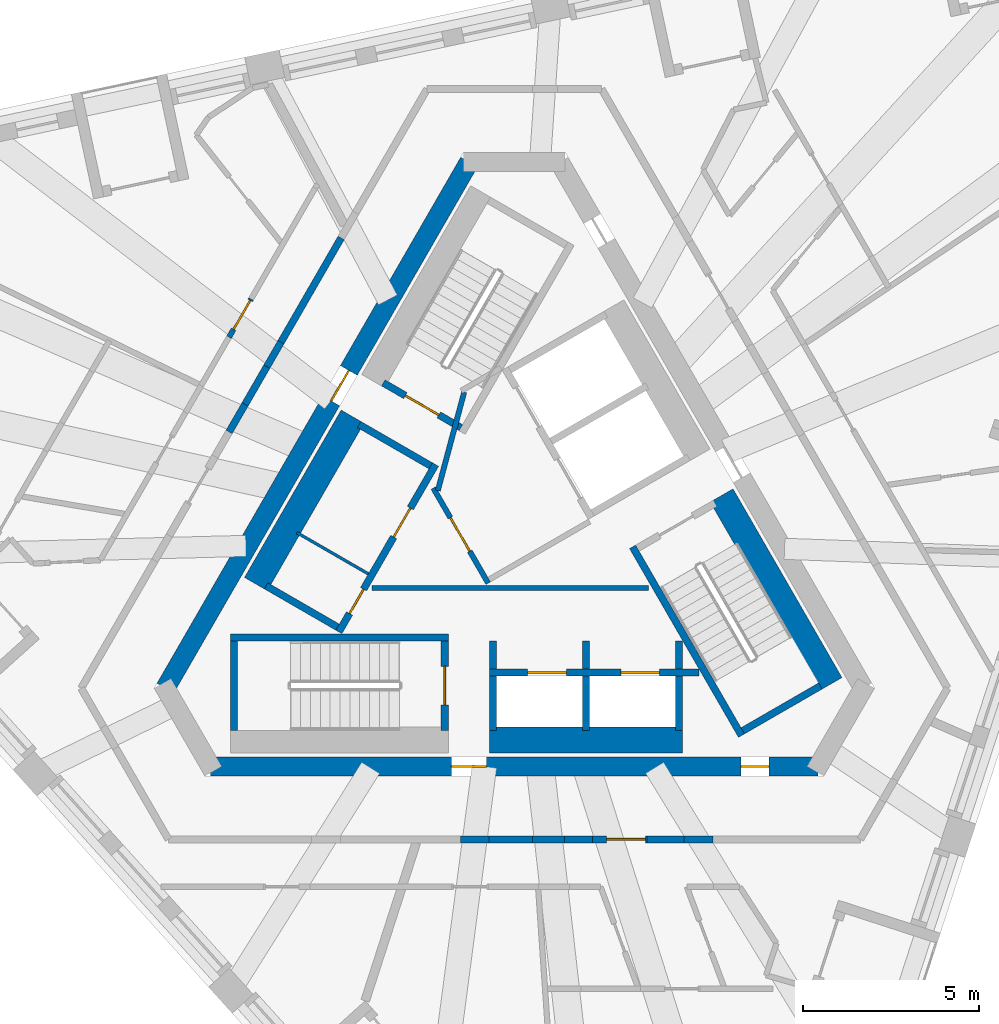
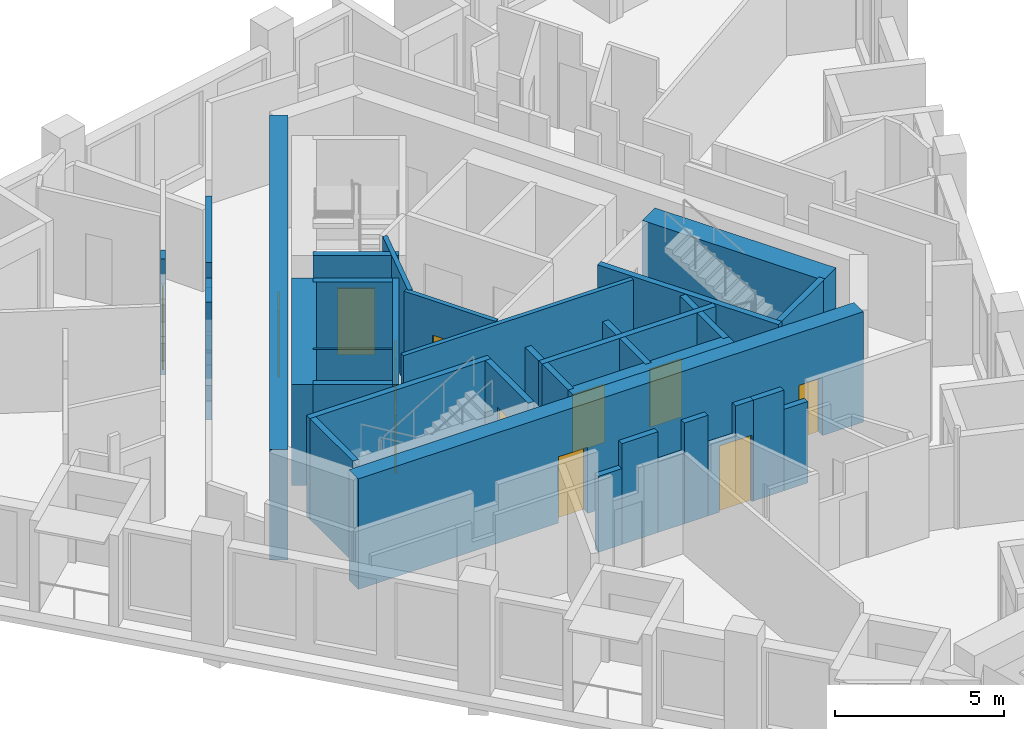
# One storey, part 4 of 12: 37 walls, 12 doors, 12 openings.
"""IFC4 building model written with IfcOpenShell, lengths in metres."""

from ifc_helpers import new_model, si_unit, direction, frame, frame_2d, origin, place, context, subcontext, project, spatial, polyline, rectangle, outline, extrude, material, layer, layer_set, type_object, element, fill, save


model = new_model("IFC4")

# Units and contexts
model_context = context("Model", 3, precision=1e-05, world=origin(), true_north=direction((0.0, 1.0)))
body_context = subcontext(model_context, "Body", "Model", "MODEL_VIEW")
ifc_project = project(units=[si_unit("LENGTHUNIT", "METRE"), si_unit("AREAUNIT", "SQUARE_METRE"), si_unit("VOLUMEUNIT", "CUBIC_METRE"), si_unit("PLANEANGLEUNIT", "RADIAN"), si_unit("MASSUNIT", "GRAM", prefix="KILO")], contexts=[model_context])

# Site, building, storey
site_placement = place(None, origin())
site = spatial("IfcSite", under=ifc_project, at=site_placement, CompositionType="ELEMENT")
building_placement = place(site_placement, origin())
building = spatial("IfcBuilding", under=site, at=building_placement, Name="Tramontana Tower", CompositionType="ELEMENT")
storey_placement = place(building_placement, frame((0.0, 0.0, 336.39990234375)))
storey = spatial("IfcBuildingStorey", under=building, at=storey_placement, Name="L77", CompositionType="ELEMENT", Elevation=336.39990234375)

# Wall, opening, door
ifc_material_1 = material(Name="Concrete 70 MPa", Category="concrete")
ifc_layer_1 = layer(ifc_material_1, 0.550048828125)
ifc_layer_set_1 = layer_set([ifc_layer_1], Name="Core wall 550 70 MPa")
wall_type_1 = type_object("IfcWallType", Name="Core wall 550 70 MPa", PredefinedType="SHEAR", material=ifc_layer_set_1)
wall_1_placement = place(storey_placement, frame((-1.28466796875, 10.72509765625, 0.0), z_axis=(0.0, 0.0, 1.0), x_axis=(-0.499994590896, -0.86602852671, 0.0)))
wall_1 = element("IfcWall", 1, at=wall_1_placement, inside=storey, type_object=wall_type_1, Name="Core wall C1 L77", PredefinedType="SHEAR", context=body_context, shape_type="SweptSolid", body=[
    extrude(rectangle(XDim=17.291748046875, YDim=0.550048828125, at=frame_2d((8.64599609375, 0.0))), origin(), (0.0, 0.0, 1.0), 4.0),
])
opening_1_placement = place(wall_1_placement, frame((6.850830078125, 0.0, 0.0)))
opening_1 = element("IfcOpeningElement", 2, at=opening_1_placement, cuts=wall_1, Name="Opening RG1", PredefinedType="OPENING", context=body_context, shape_type="SweptSolid", body=[
    extrude(rectangle(XDim=1.0, YDim=2.39990234375, at=frame_2d((0.5, 1.199951171875))), frame((0.0, 0.284912109375, 0.0), z_axis=(0.0, -1.0, 0.0), x_axis=(1.0, 0.0, 0.0)), (0.0, 0.0, 1.0), 0.570068359375),
])
ifc_material_2 = material(Name="Painted steel", Category="steel")
door_type_1 = type_object("IfcDoorType", Name="RING DOOR 1000", OperationType="SINGLE_SWING_LEFT", PredefinedType="DOOR", material=ifc_material_2)
door_1_placement = place(opening_1_placement, origin())
door_1 = element("IfcDoor", 3, at=door_1_placement, inside=storey, type_object=door_type_1, Name="Door RG1", OperationType="SINGLE_SWING_RIGHT", OverallHeight=2.39990234375, OverallWidth=1.0, PredefinedType="DOOR", context=body_context, shape_type="SweptSolid", body=[
    extrude(rectangle(XDim=1.0, YDim=2.39990234375, at=frame_2d((0.5, 1.199951171875))), frame((0.0, 0.02490234375, 0.0), z_axis=(0.0, -1.0, 0.0), x_axis=(1.0, 0.0, 0.0)), (0.0, 0.0, 1.0), 0.050048828125),
])
fill(opening_1, door_1)

# Wall, openings, doors
wall_2_placement = place(storey_placement, frame((-8.645751953125, -6.47509765625, 0.0), z_axis=(0.0, 0.0, 1.0), x_axis=(1.0, 0.0, 0.0)))
wall_2 = element("IfcWall", 4, at=wall_2_placement, inside=storey, type_object=wall_type_1, Name="Core wall C3 L77", PredefinedType="SHEAR", context=body_context, shape_type="SweptSolid", body=[
    extrude(rectangle(XDim=17.29150390625, YDim=0.550048828125, at=frame_2d((8.645751953125, 0.0))), origin(), (0.0, 0.0, 1.0), 4.0),
])
opening_2_placement = place(wall_2_placement, frame((6.850830078125, 0.0, 0.0)))
opening_2 = element("IfcOpeningElement", 5, at=opening_2_placement, cuts=wall_2, Name="Opening RG2", PredefinedType="OPENING", context=body_context, shape_type="SweptSolid", body=[
    extrude(rectangle(XDim=1.0, YDim=2.39990234375, at=frame_2d((0.5, 1.199951171875))), frame((0.0, 0.284912109375, 0.0), z_axis=(0.0, -1.0, 0.0), x_axis=(1.0, 0.0, 0.0)), (0.0, 0.0, 1.0), 0.570068359375),
])
opening_3_placement = place(wall_2_placement, frame((15.088623046875, 0.0, 0.0)))
opening_3 = element("IfcOpeningElement", 6, at=opening_3_placement, cuts=wall_2, Name="Opening PD2", PredefinedType="OPENING", context=body_context, shape_type="SweptSolid", body=[
    extrude(rectangle(XDim=0.800048828125, YDim=2.10009765625, at=frame_2d((0.39990234375, 1.050048828125))), frame((0.0, 0.284912109375, 0.0), z_axis=(0.0, -1.0, 0.0), x_axis=(1.0, 0.0, 0.0)), (0.0, 0.0, 1.0), 0.570068359375),
])
ifc_material_3 = material(Name="Painted steel", Category="steel")
door_type_2 = type_object("IfcDoorType", Name="CUPBOARD DOOR 800", OperationType="SINGLE_SWING_LEFT", PredefinedType="DOOR", material=ifc_material_3)
door_2_placement = place(opening_3_placement, origin())
door_2 = element("IfcDoor", 7, at=door_2_placement, inside=storey, type_object=door_type_2, Name="Door PD2", OperationType="SINGLE_SWING_LEFT", OverallHeight=2.10009765625, OverallWidth=0.800048828125, PredefinedType="DOOR", context=body_context, shape_type="SweptSolid", body=[
    extrude(rectangle(XDim=0.800048828125, YDim=2.10009765625, at=frame_2d((0.39990234375, 1.050048828125))), frame((0.0, 0.02490234375, 0.0), z_axis=(0.0, -1.0, 0.0), x_axis=(1.0, 0.0, 0.0)), (0.0, 0.0, 1.0), 0.050048828125),
])
fill(opening_3, door_2)
door_3_placement = place(opening_2_placement, origin())
door_3 = element("IfcDoor", 8, at=door_3_placement, inside=storey, type_object=door_type_1, Name="Door RG2", OperationType="SINGLE_SWING_LEFT", OverallHeight=2.39990234375, OverallWidth=1.0, PredefinedType="DOOR", context=body_context, shape_type="SweptSolid", body=[
    extrude(rectangle(XDim=1.0, YDim=2.39990234375, at=frame_2d((0.5, 1.199951171875))), frame((0.0, 0.02490234375, 0.0), z_axis=(0.0, -1.0, 0.0), x_axis=(1.0, 0.0, 0.0)), (0.0, 0.0, 1.0), 0.050048828125),
])
fill(opening_2, door_3)

# Walls
ifc_material_4 = material(Name="Blockwork", Category="masonry")
ifc_layer_2 = layer(ifc_material_4, 0.199951171875)
ifc_layer_set_2 = layer_set([ifc_layer_2], Name="ENTRY WALL 200")
wall_type_2 = type_object("IfcWallType", Name="ENTRY WALL 200", PredefinedType="SOLIDWALL", material=ifc_layer_set_2)
wall_3_placement = place(storey_placement, frame((5.6494140625, -8.550048828125, 0.0), z_axis=(0.0, 0.0, 1.0), x_axis=(-1.0, 0.0, 0.0)))
element("IfcWall", 9, at=wall_3_placement, inside=storey, type_object=wall_type_2, Name="Wall v81-ew1-1", PredefinedType="SOLIDWALL", context=body_context, shape_type="SweptSolid", body=[
    extrude(rectangle(XDim=0.821044921875, YDim=0.199951171875, at=frame_2d((0.41064453125, 0.0))), origin(), (0.0, 0.0, 1.0), 2.9501953125),
])
wall_4_placement = place(storey_placement, frame((4.828369140625, -8.550048828125, 0.0), z_axis=(0.0, 0.0, 1.0), x_axis=(-1.0, 0.0, 0.0)))
element("IfcWall", 10, at=wall_4_placement, inside=storey, type_object=wall_type_2, Name="Wall v81-ew1-2", PredefinedType="SOLIDWALL", context=body_context, shape_type="SweptSolid", body=[
    extrude(rectangle(XDim=1.050048828125, YDim=0.199951171875, at=frame_2d((0.52490234375, 0.0))), origin(), (0.0, 0.0, 1.0), 3.650146484375),
])

# Wall, opening, door
wall_5_placement = place(storey_placement, frame((3.7783203125, -8.550048828125, 0.0), z_axis=(0.0, 0.0, 1.0), x_axis=(-1.0, 0.0, 0.0)))
wall_5 = element("IfcWall", 11, at=wall_5_placement, inside=storey, type_object=wall_type_2, Name="Wall v81-ew1-3", PredefinedType="SOLIDWALL", context=body_context, shape_type="SweptSolid", body=[
    extrude(outline(polyline([(0.0, 0.0), (1.54931640625, 0.0), (1.549072265625, 2.550048828125), (0.605224609375, 2.550048828125), (0.605224609375, 3.650146484375), (0.0, 3.650146484375), (0.0, 0.0)])), frame((0.0, 0.10009765625, 0.0), z_axis=(0.0, -1.0, 0.0), x_axis=(1.0, 0.0, 0.0)), (0.0, 0.0, 1.0), 0.199951171875),
])
opening_4_placement = place(wall_5_placement, frame((0.050048828125, 0.0, 0.0)))
opening_4 = element("IfcOpeningElement", 12, at=opening_4_placement, cuts=wall_5, Name="Opening B8B-17", PredefinedType="OPENING", context=body_context, shape_type="SweptSolid", body=[
    extrude(rectangle(XDim=1.10009765625, YDim=2.39990234375, at=frame_2d((0.550048828125, 1.199951171875))), frame((0.0, 0.10986328125, 0.0), z_axis=(0.0, -1.0, 0.0), x_axis=(1.0, 0.0, 0.0)), (0.0, 0.0, 1.0), 0.219970703125),
])
ifc_material_5 = material(Name="Painted timber", Category="wood")
door_type_3 = type_object("IfcDoorType", Name="DOOR ENTRY 1100", OperationType="SINGLE_SWING_LEFT", PredefinedType="DOOR", material=ifc_material_5)
door_4_placement = place(opening_4_placement, origin())
door_4 = element("IfcDoor", 13, at=door_4_placement, inside=storey, type_object=door_type_3, Name="Door B8B-17", OperationType="SINGLE_SWING_LEFT", OverallHeight=2.39990234375, OverallWidth=1.10009765625, PredefinedType="DOOR", context=body_context, shape_type="SweptSolid", body=[
    extrude(rectangle(XDim=1.10009765625, YDim=2.39990234375, at=frame_2d((0.550048828125, 1.199951171875))), frame((0.0, 0.02490234375, 0.0), z_axis=(0.0, -1.0, 0.0), x_axis=(1.0, 0.0, 0.0)), (0.0, 0.0, 1.0), 0.050048828125),
])
fill(opening_4, door_4)

# Walls
wall_6_placement = place(storey_placement, frame((2.22900390625, -8.550048828125, 0.0), z_axis=(0.0, 0.0, 1.0), x_axis=(-1.0, 0.0, 0.0)))
element("IfcWall", 14, at=wall_6_placement, inside=storey, type_object=wall_type_2, Name="Wall v81-ew1-4", PredefinedType="SOLIDWALL", context=body_context, shape_type="SweptSolid", body=[
    extrude(rectangle(XDim=0.806640625, YDim=0.199951171875, at=frame_2d((0.4033203125, 0.0))), origin(), (0.0, 0.0, 1.0), 3.650146484375),
])
wall_7_placement = place(storey_placement, frame((1.42236328125, -8.550048828125, 0.0), z_axis=(0.0, 0.0, 1.0), x_axis=(-1.0, 0.0, 0.0)))
element("IfcWall", 15, at=wall_7_placement, inside=storey, type_object=wall_type_2, Name="Wall v81-ew1-5", PredefinedType="SOLIDWALL", context=body_context, shape_type="SweptSolid", body=[
    extrude(rectangle(XDim=0.90576171875, YDim=0.199951171875, at=frame_2d((0.452880859375, 0.0))), origin(), (0.0, 0.0, 1.0), 2.550048828125),
])
wall_8_placement = place(storey_placement, frame((0.5166015625, -8.550048828125, 0.0), z_axis=(0.0, 0.0, 1.0), x_axis=(-1.0, 0.0, 0.0)))
element("IfcWall", 16, at=wall_8_placement, inside=storey, type_object=wall_type_2, Name="Wall v81-ew1-6", PredefinedType="SOLIDWALL", context=body_context, shape_type="SweptSolid", body=[
    extrude(rectangle(XDim=1.23828125, YDim=0.199951171875, at=frame_2d((0.619140625, 0.0))), origin(), (0.0, 0.0, 1.0), 3.650146484375),
])
wall_9_placement = place(storey_placement, frame((-0.7216796875, -8.550048828125, 0.0), z_axis=(0.0, 0.0, 1.0), x_axis=(-1.0, 0.0, 0.0)))
element("IfcWall", 17, at=wall_9_placement, inside=storey, type_object=wall_type_2, Name="Wall v81-ew1-7", PredefinedType="SOLIDWALL", context=body_context, shape_type="SweptSolid", body=[
    extrude(rectangle(XDim=0.806884765625, YDim=0.199951171875, at=frame_2d((0.4033203125, 0.0))), origin(), (0.0, 0.0, 1.0), 2.75),
])
wall_10_placement = place(storey_placement, frame((-8.11572265625, 3.043212890625, 0.0), z_axis=(0.0, 0.0, 1.0), x_axis=(0.499994660107, 0.866028486751, 0.0)))
element("IfcWall", 18, at=wall_10_placement, inside=storey, type_object=wall_type_2, Name="Wall v81-ew3-5", PredefinedType="SOLIDWALL", context=body_context, shape_type="SweptSolid", body=[
    extrude(rectangle(XDim=0.90576171875, YDim=0.199951171875, at=frame_2d((0.452880859375, 0.0))), origin(), (0.0, 0.0, 1.0), 2.550048828125),
])
wall_11_placement = place(storey_placement, frame((-7.662841796875, 3.82763671875, 0.0), z_axis=(0.0, 0.0, 1.0), x_axis=(0.499955681623, 0.866050989499, 0.0)))
element("IfcWall", 19, at=wall_11_placement, inside=storey, type_object=wall_type_2, Name="Wall v81-ew3-6", PredefinedType="SOLIDWALL", context=body_context, shape_type="SweptSolid", body=[
    extrude(rectangle(XDim=1.23828125, YDim=0.199951171875, at=frame_2d((0.619140625, 0.0))), origin(), (0.0, 0.0, 1.0), 3.650146484375),
])
wall_12_placement = place(storey_placement, frame((-7.043701171875, 4.900146484375, 0.0), z_axis=(0.0, 0.0, 1.0), x_axis=(0.500141487433, 0.865943700565, 0.0)))
element("IfcWall", 20, at=wall_12_placement, inside=storey, type_object=wall_type_2, Name="Wall v81-ew3-7", PredefinedType="SOLIDWALL", context=body_context, shape_type="SweptSolid", body=[
    extrude(rectangle(XDim=0.806884765625, YDim=0.199951171875, at=frame_2d((0.4033203125, 0.0))), origin(), (0.0, 0.0, 1.0), 2.75),
])
wall_13_placement = place(storey_placement, frame((-6.64013671875, 5.598876953125, 0.0), z_axis=(0.0, 0.0, 1.0), x_axis=(0.499989998285, 0.8660311782, 0.0)))
element("IfcWall", 21, at=wall_13_placement, inside=storey, type_object=wall_type_2, Name="Wall v81-ew3-8", PredefinedType="SOLIDWALL", context=body_context, shape_type="SweptSolid", body=[
    extrude(rectangle(XDim=3.4228515625, YDim=0.199951171875, at=frame_2d((1.71142578125, 0.0))), origin(), (0.0, 0.0, 1.0), 3.650146484375),
])

# Wall, opening, door
ifc_material_6 = material(Name="Gypsum board partition")
ifc_layer_3 = layer(ifc_material_6, 0.14990234375)
ifc_layer_set_3 = layer_set([ifc_layer_3], Name="PARTITION 150")
wall_type_3 = type_object("IfcWallType", Name="PARTITION 150", PredefinedType="PARTITIONING", material=ifc_layer_set_3)
wall_14_placement = place(storey_placement, frame((-0.744140625, -1.260986328125, 0.0), z_axis=(0.0, 0.0, 1.0), x_axis=(-0.500004234368, 0.866022959057, 0.0)))
wall_14 = element("IfcWall", 22, at=wall_14_placement, inside=storey, type_object=wall_type_3, Name="Wall ff-front", PredefinedType="PARTITIONING", context=body_context, shape_type="SweptSolid", body=[
    extrude(rectangle(XDim=3.125, YDim=0.14990234375, at=frame_2d((1.5625, 0.0))), origin(), (0.0, 0.0, 1.0), 3.650146484375),
])
opening_5_placement = place(wall_14_placement, frame((1.050048828125, 0.0, 0.0)))
opening_5 = element("IfcOpeningElement", 23, at=opening_5_placement, cuts=wall_14, Name="Opening FD1", PredefinedType="OPENING", context=body_context, shape_type="SweptSolid", body=[
    extrude(rectangle(XDim=1.10009765625, YDim=2.39990234375, at=frame_2d((0.550048828125, 1.199951171875))), frame((0.0, 0.0849609375, 0.0), z_axis=(0.0, -1.0, 0.0), x_axis=(1.0, 0.0, 0.0)), (0.0, 0.0, 1.0), 0.169921875),
])
door_5_placement = place(opening_5_placement, origin())
door_5 = element("IfcDoor", 24, at=door_5_placement, inside=storey, type_object=door_type_3, Name="Door FD1", OperationType="SINGLE_SWING_LEFT", OverallHeight=2.39990234375, OverallWidth=1.10009765625, PredefinedType="DOOR", context=body_context, shape_type="SweptSolid", body=[
    extrude(rectangle(XDim=1.10009765625, YDim=2.39990234375, at=frame_2d((0.550048828125, 1.199951171875))), frame((0.0, 0.02490234375, 0.0), z_axis=(0.0, -1.0, 0.0), x_axis=(1.0, 0.0, 0.0)), (0.0, 0.0, 1.0), 0.050048828125),
])
fill(opening_5, door_5)

# Walls
wall_15_placement = place(storey_placement, frame((-2.177978515625, 1.372314453125, 0.0), z_axis=(0.0, 0.0, 1.0), x_axis=(0.258808958833, 0.96592852884, 0.0)))
element("IfcWall", 25, at=wall_15_placement, inside=storey, type_object=wall_type_3, Name="Wall ff-diag", PredefinedType="PARTITIONING", context=body_context, shape_type="SweptSolid", body=[
    extrude(rectangle(XDim=2.902587890625, YDim=0.14990234375, at=frame_2d((1.451171875, 0.0))), origin(), (0.0, 0.0, 1.0), 3.650146484375),
])
wall_16_placement = place(storey_placement, frame((-4.053466796875, -1.39990234375, 0.0), z_axis=(0.0, 0.0, 1.0), x_axis=(1.0, 0.0, 0.0)))
element("IfcWall", 26, at=wall_16_placement, inside=storey, type_object=wall_type_3, Name="Wall hub-cut1", PredefinedType="PARTITIONING", context=body_context, shape_type="SweptSolid", body=[
    extrude(rectangle(XDim=7.8759765625, YDim=0.14990234375, at=frame_2d((3.93798828125, 0.0))), origin(), (0.0, 0.0, 1.0), 3.650146484375),
])

# Wall, opening, door
wall_17_placement = place(storey_placement, frame((-8.11767578125, 5.73974609375, 0.0), z_axis=(0.0, 0.0, 1.0), x_axis=(0.499969537666, 0.866042990507, 0.0)))
wall_17 = element("IfcWall", 27, at=wall_17_placement, inside=storey, type_object=wall_type_3, Name="Wall v81-pw07-6", PredefinedType="PARTITIONING", context=body_context, shape_type="SweptSolid", body=[
    extrude(outline(polyline([(0.0, 0.0), (1.25439453125, 0.0), (1.25439453125, 3.650146484375), (0.78173828125, 3.650146484375), (0.78173828125, 2.75), (0.0, 2.75), (0.0, 0.0)])), frame((0.0, 0.074951171875, 0.0), z_axis=(0.0, -1.0, 0.0), x_axis=(1.0, 0.0, 0.0)), (0.0, 0.0, 1.0), 0.14990234375),
])
opening_6_placement = place(wall_17_placement, frame((0.25439453125, 0.0, 0.0)))
opening_6 = element("IfcOpeningElement", 28, at=opening_6_placement, cuts=wall_17, Name="Opening B8B-03", PredefinedType="OPENING", context=body_context, shape_type="SweptSolid", body=[
    extrude(rectangle(XDim=0.949951171875, YDim=2.39990234375, at=frame_2d((0.47509765625, 1.199951171875))), frame((0.0, 0.0849609375, 0.0), z_axis=(0.0, -1.0, 0.0), x_axis=(1.0, 0.0, 0.0)), (0.0, 0.0, 1.0), 0.169921875),
])
ifc_material_7 = material(Name="Painted timber", Category="wood")
door_type_4 = type_object("IfcDoorType", Name="DOOR ROOM 950", OperationType="SINGLE_SWING_LEFT", PredefinedType="DOOR", material=ifc_material_7)
door_6_placement = place(opening_6_placement, origin())
door_6 = element("IfcDoor", 29, at=door_6_placement, inside=storey, type_object=door_type_4, Name="Door B8B-03", OperationType="SINGLE_SWING_LEFT", OverallHeight=2.39990234375, OverallWidth=0.949951171875, PredefinedType="DOOR", context=body_context, shape_type="SweptSolid", body=[
    extrude(rectangle(XDim=0.949951171875, YDim=2.39990234375, at=frame_2d((0.47509765625, 1.199951171875))), frame((0.0, 0.02490234375, 0.0), z_axis=(0.0, -1.0, 0.0), x_axis=(1.0, 0.0, 0.0)), (0.0, 0.0, 1.0), 0.050048828125),
])
fill(opening_6, door_6)

# Walls
ifc_material_8 = material(Name="Gypsum board partition")
ifc_layer_4 = layer(ifc_material_8, 0.080078125)
ifc_layer_set_4 = layer_set([ifc_layer_4], Name="PARTITION 80")
wall_type_4 = type_object("IfcWallType", Name="PARTITION 80", PredefinedType="PARTITIONING", material=ifc_layer_set_4)
wall_18_placement = place(storey_placement, frame((-4.15478515625, -0.99609375, 0.0), z_axis=(0.0, 0.0, 1.0), x_axis=(-0.866016039709, 0.500016218704, 0.0)))
element("IfcWall", 30, at=wall_18_placement, inside=storey, type_object=wall_type_4, Name="Wall row0-split", PredefinedType="PARTITIONING", context=body_context, shape_type="SweptSolid", body=[
    extrude(rectangle(XDim=2.35009765625, YDim=0.080078125, at=frame_2d((1.175048828125, 0.0))), origin(), (0.0, 0.0, 1.0), 3.650146484375),
])
ifc_material_9 = material(Name="Concrete 70 MPa", Category="concrete")
ifc_layer_5 = layer(ifc_material_9, 0.75)
ifc_layer_set_5 = layer_set([ifc_layer_5], Name="Concrete 70 MPa, 750 mm")
wall_type_5 = type_object("IfcWallType", Name="RC SHAFT BACK WALL 750", PredefinedType="SOLIDWALL", material=ifc_layer_set_5)
wall_19_placement = place(storey_placement, frame((8.998046875, -4.135009765625, 0.0), z_axis=(0.0, 0.0, 1.0), x_axis=(-0.500009909098, 0.866019682689, 0.0)))
element("IfcWall", 31, at=wall_19_placement, inside=storey, type_object=wall_type_5, Name="Wall st3-back", PredefinedType="SOLIDWALL", context=body_context, shape_type="SweptSolid", body=[
    extrude(rectangle(XDim=6.199951171875, YDim=0.75, at=frame_2d((3.10009765625, 0.0))), origin(), (0.0, 0.0, 1.0), 3.650146484375),
])
wall_20_placement = place(storey_placement, frame((-4.60302734375, 3.477294921875, 0.0), z_axis=(0.0, 0.0, 1.0), x_axis=(-0.500015767406, -0.866016300277, 0.0)))
element("IfcWall", 32, at=wall_20_placement, inside=storey, type_object=wall_type_5, Name="Wall row0-back", PredefinedType="SOLIDWALL", context=body_context, shape_type="SweptSolid", body=[
    extrude(rectangle(XDim=5.499755859375, YDim=0.75, at=frame_2d((2.75, 0.0))), origin(), (0.0, 0.0, 1.0), 3.650146484375),
])
wall_21_placement = place(storey_placement, frame((-0.7099609375, -5.72509765625, 0.0), z_axis=(0.0, 0.0, 1.0), x_axis=(1.0, 0.0, 0.0)))
element("IfcWall", 33, at=wall_21_placement, inside=storey, type_object=wall_type_5, Name="Wall row1-back", PredefinedType="SOLIDWALL", context=body_context, shape_type="SweptSolid", body=[
    extrude(rectangle(XDim=5.5, YDim=0.75, at=frame_2d((2.75, 0.0))), origin(), (0.0, 0.0, 1.0), 3.650146484375),
])

# Wall, opening, door
ifc_material_10 = material(Name="Concrete 70 MPa", Category="concrete")
ifc_layer_6 = layer(ifc_material_10, 0.199951171875)
ifc_layer_set_6 = layer_set([ifc_layer_6], Name="Concrete 70 MPa, 200 mm")
wall_type_6 = type_object("IfcWallType", Name="RC STAIR AND SHAFT WALL 200", PredefinedType="SOLIDWALL", material=ifc_layer_set_6)
wall_22_placement = place(storey_placement, frame((-1.521484375, 3.164794921875, 0.0), z_axis=(0.0, 0.0, 1.0), x_axis=(-0.866030925526, 0.499990435942, 0.0)))
wall_22 = element("IfcWall", 34, at=wall_22_placement, inside=storey, type_object=wall_type_6, Name="Wall st1-near", PredefinedType="SOLIDWALL", context=body_context, shape_type="SweptSolid", body=[
    extrude(rectangle(XDim=2.5498046875, YDim=0.199951171875, at=frame_2d((1.27490234375, 0.0))), origin(), (0.0, 0.0, 1.0), 3.650146484375),
])
opening_7_placement = place(wall_22_placement, frame((0.72509765625, 0.0, 0.0)))
opening_7 = element("IfcOpeningElement", 35, at=opening_7_placement, cuts=wall_22, Name="Opening SD1", PredefinedType="OPENING", context=body_context, shape_type="SweptSolid", body=[
    extrude(rectangle(XDim=1.10009765625, YDim=2.39990234375, at=frame_2d((0.550048828125, 1.199951171875))), frame((0.0, 0.10986328125, 0.0), z_axis=(0.0, -1.0, 0.0), x_axis=(1.0, 0.0, 0.0)), (0.0, 0.0, 1.0), 0.219970703125),
])
ifc_material_11 = material(Name="Painted steel", Category="steel")
door_type_5 = type_object("IfcDoorType", Name="STAIR DOOR 1100", OperationType="SINGLE_SWING_LEFT", PredefinedType="DOOR", material=ifc_material_11)
door_7_placement = place(opening_7_placement, origin())
door_7 = element("IfcDoor", 36, at=door_7_placement, inside=storey, type_object=door_type_5, Name="Door SD1", OperationType="SINGLE_SWING_RIGHT", OverallHeight=2.39990234375, OverallWidth=1.10009765625, PredefinedType="DOOR", context=body_context, shape_type="SweptSolid", body=[
    extrude(rectangle(XDim=1.10009765625, YDim=2.39990234375, at=frame_2d((0.550048828125, 1.199951171875))), frame((0.0, 0.02490234375, 0.0), z_axis=(0.0, -1.0, 0.0), x_axis=(1.0, 0.0, 0.0)), (0.0, 0.0, 1.0), 0.050048828125),
])
fill(opening_7, door_7)

# Walls
wall_23_placement = place(storey_placement, frame((-8.080078125, -2.800048828125, 0.0), z_axis=(0.0, 0.0, 1.0), x_axis=(1.0, 0.0, 0.0)))
element("IfcWall", 37, at=wall_23_placement, inside=storey, type_object=wall_type_6, Name="Wall st2-front", PredefinedType="SOLIDWALL", context=body_context, shape_type="SweptSolid", body=[
    extrude(rectangle(XDim=6.2001953125, YDim=0.199951171875, at=frame_2d((3.10009765625, 0.0))), origin(), (0.0, 0.0, 1.0), 3.650146484375),
])
wall_24_placement = place(storey_placement, frame((-7.97998046875, -2.89990234375, 0.0), z_axis=(0.0, 0.0, 1.0), x_axis=(0.0, -1.0, 0.0)))
element("IfcWall", 38, at=wall_24_placement, inside=storey, type_object=wall_type_6, Name="Wall st2-far", PredefinedType="SOLIDWALL", context=body_context, shape_type="SweptSolid", body=[
    extrude(rectangle(XDim=2.550048828125, YDim=0.199951171875, at=frame_2d((1.27490234375, 0.0))), origin(), (0.0, 0.0, 1.0), 3.650146484375),
])

# Wall, opening, door
wall_25_placement = place(storey_placement, frame((-1.97998046875, -2.89990234375, 0.0), z_axis=(0.0, 0.0, 1.0), x_axis=(0.0, -1.0, 0.0)))
wall_25 = element("IfcWall", 39, at=wall_25_placement, inside=storey, type_object=wall_type_6, Name="Wall st2-near", PredefinedType="SOLIDWALL", context=body_context, shape_type="SweptSolid", body=[
    extrude(rectangle(XDim=2.550048828125, YDim=0.199951171875, at=frame_2d((1.27490234375, 0.0))), origin(), (0.0, 0.0, 1.0), 3.650146484375),
])
opening_8_placement = place(wall_25_placement, frame((0.72509765625, 0.0, 0.0)))
opening_8 = element("IfcOpeningElement", 40, at=opening_8_placement, cuts=wall_25, Name="Opening SD2", PredefinedType="OPENING", context=body_context, shape_type="SweptSolid", body=[
    extrude(rectangle(XDim=1.10009765625, YDim=2.39990234375, at=frame_2d((0.550048828125, 1.199951171875))), frame((0.0, 0.10986328125, 0.0), z_axis=(0.0, -1.0, 0.0), x_axis=(1.0, 0.0, 0.0)), (0.0, 0.0, 1.0), 0.219970703125),
])
door_8_placement = place(opening_8_placement, origin())
door_8 = element("IfcDoor", 41, at=door_8_placement, inside=storey, type_object=door_type_5, Name="Door SD2", OperationType="SINGLE_SWING_LEFT", OverallHeight=2.39990234375, OverallWidth=1.10009765625, PredefinedType="DOOR", context=body_context, shape_type="SweptSolid", body=[
    extrude(rectangle(XDim=1.10009765625, YDim=2.39990234375, at=frame_2d((0.550048828125, 1.199951171875))), frame((0.0, 0.02490234375, 0.0), z_axis=(0.0, -1.0, 0.0), x_axis=(1.0, 0.0, 0.0)), (0.0, 0.0, 1.0), 0.050048828125),
])
fill(opening_8, door_8)

# Walls
wall_26_placement = place(storey_placement, frame((6.46484375, -5.597412109375, 0.0), z_axis=(0.0, 0.0, 1.0), x_axis=(-0.49998037582, 0.866036733513, 0.0)))
element("IfcWall", 42, at=wall_26_placement, inside=storey, type_object=wall_type_6, Name="Wall st3-front", PredefinedType="SOLIDWALL", context=body_context, shape_type="SweptSolid", body=[
    extrude(rectangle(XDim=6.199951171875, YDim=0.199951171875, at=frame_2d((3.10009765625, 0.0))), origin(), (0.0, 0.0, 1.0), 3.650146484375),
])
wall_27_placement = place(storey_placement, frame((6.50146484375, -5.4609375, 0.0), z_axis=(0.0, 0.0, 1.0), x_axis=(0.865989465428, 0.500062241894, 0.0)))
element("IfcWall", 43, at=wall_27_placement, inside=storey, type_object=wall_type_6, Name="Wall st3-far", PredefinedType="SOLIDWALL", context=body_context, shape_type="SweptSolid", body=[
    extrude(rectangle(XDim=2.550048828125, YDim=0.199951171875, at=frame_2d((1.27490234375, 0.0))), origin(), (0.0, 0.0, 1.0), 3.650146484375),
])

# Wall, openings, doors
wall_28_placement = place(storey_placement, frame((-4.9931640625, -2.648193359375, 0.0), z_axis=(0.0, 0.0, 1.0), x_axis=(0.499996545922, 0.866027397988, 0.0)))
wall_28 = element("IfcWall", 44, at=wall_28_placement, inside=storey, type_object=wall_type_6, Name="Wall row0-front", PredefinedType="SOLIDWALL", context=body_context, shape_type="SweptSolid", body=[
    extrude(rectangle(XDim=5.5, YDim=0.199951171875, at=frame_2d((2.75, 0.0))), origin(), (0.0, 0.0, 1.0), 3.650146484375),
])
opening_9_placement = place(wall_28_placement, frame((3.1201171875, 0.0, 0.0)))
opening_9 = element("IfcOpeningElement", 45, at=opening_9_placement, cuts=wall_28, Name="Opening RD-0A", PredefinedType="OPENING", context=body_context, shape_type="SweptSolid", body=[
    extrude(rectangle(XDim=0.949951171875, YDim=2.39990234375, at=frame_2d((0.47509765625, 1.199951171875))), frame((0.0, 0.10986328125, 0.0), z_axis=(0.0, -1.0, 0.0), x_axis=(1.0, 0.0, 0.0)), (0.0, 0.0, 1.0), 0.219970703125),
])
opening_10_placement = place(wall_28_placement, frame((0.60498046875, 0.0, 0.0)))
opening_10 = element("IfcOpeningElement", 46, at=opening_10_placement, cuts=wall_28, Name="Opening RD-0B", PredefinedType="OPENING", context=body_context, shape_type="SweptSolid", body=[
    extrude(rectangle(XDim=0.800048828125, YDim=2.10009765625, at=frame_2d((0.39990234375, 1.050048828125))), frame((0.0, 0.10986328125, 0.0), z_axis=(0.0, -1.0, 0.0), x_axis=(1.0, 0.0, 0.0)), (0.0, 0.0, 1.0), 0.219970703125),
])
door_9_placement = place(opening_10_placement, origin())
door_9 = element("IfcDoor", 47, at=door_9_placement, inside=storey, type_object=door_type_2, Name="Door RD-0B", OperationType="SINGLE_SWING_RIGHT", OverallHeight=2.10009765625, OverallWidth=0.800048828125, PredefinedType="DOOR", context=body_context, shape_type="SweptSolid", body=[
    extrude(rectangle(XDim=0.800048828125, YDim=2.10009765625, at=frame_2d((0.39990234375, 1.050048828125))), frame((0.0, 0.02490234375, 0.0), z_axis=(0.0, -1.0, 0.0), x_axis=(1.0, 0.0, 0.0)), (0.0, 0.0, 1.0), 0.050048828125),
])
fill(opening_10, door_9)
door_10_placement = place(opening_9_placement, origin())
door_10 = element("IfcDoor", 48, at=door_10_placement, inside=storey, type_object=door_type_4, Name="Door RD-0A", OperationType="SINGLE_SWING_LEFT", OverallHeight=2.39990234375, OverallWidth=0.949951171875, PredefinedType="DOOR", context=body_context, shape_type="SweptSolid", body=[
    extrude(rectangle(XDim=0.949951171875, YDim=2.39990234375, at=frame_2d((0.47509765625, 1.199951171875))), frame((0.0, 0.02490234375, 0.0), z_axis=(0.0, -1.0, 0.0), x_axis=(1.0, 0.0, 0.0)), (0.0, 0.0, 1.0), 0.050048828125),
])
fill(opening_9, door_10)

# Walls
wall_29_placement = place(storey_placement, frame((-2.379638671875, 2.078369140625, 0.0), z_axis=(0.0, 0.0, 1.0), x_axis=(-0.866061024631, 0.499938297808, 0.0)))
element("IfcWall", 49, at=wall_29_placement, inside=storey, type_object=wall_type_6, Name="Wall row0-side0", PredefinedType="SOLIDWALL", context=body_context, shape_type="SweptSolid", body=[
    extrude(rectangle(XDim=2.349853515625, YDim=0.199951171875, at=frame_2d((1.1748046875, 0.0))), origin(), (0.0, 0.0, 1.0), 3.650146484375),
])
wall_30_placement = place(storey_placement, frame((-5.02978515625, -2.51171875, 0.0), z_axis=(0.0, 0.0, 1.0), x_axis=(-0.866016039709, 0.500016218704, 0.0)))
element("IfcWall", 50, at=wall_30_placement, inside=storey, type_object=wall_type_6, Name="Wall row0-side2", PredefinedType="SOLIDWALL", context=body_context, shape_type="SweptSolid", body=[
    extrude(rectangle(XDim=2.35009765625, YDim=0.199951171875, at=frame_2d((1.175048828125, 0.0))), origin(), (0.0, 0.0, 1.0), 3.650146484375),
])

# Wall, openings, doors
wall_31_placement = place(storey_placement, frame((-0.7099609375, -3.800048828125, 0.0), z_axis=(0.0, 0.0, 1.0), x_axis=(1.0, 0.0, 0.0)))
wall_31 = element("IfcWall", 51, at=wall_31_placement, inside=storey, type_object=wall_type_6, Name="Wall row1-front", PredefinedType="SOLIDWALL", context=body_context, shape_type="SweptSolid", body=[
    extrude(rectangle(XDim=5.96142578125, YDim=0.199951171875, at=frame_2d((2.980712890625, 0.0))), origin(), (0.0, 0.0, 1.0), 3.650146484375),
])
opening_11_placement = place(wall_31_placement, frame((1.090087890625, 0.0, 0.0)))
opening_11 = element("IfcOpeningElement", 52, at=opening_11_placement, cuts=wall_31, Name="Opening LD-S1", PredefinedType="OPENING", context=body_context, shape_type="SweptSolid", body=[
    extrude(rectangle(XDim=1.10009765625, YDim=2.10009765625, at=frame_2d((0.550048828125, 1.050048828125))), frame((0.0, 0.10986328125, 0.0), z_axis=(0.0, -1.0, 0.0), x_axis=(1.0, 0.0, 0.0)), (0.0, 0.0, 1.0), 0.219970703125),
])
opening_12_placement = place(wall_31_placement, frame((3.739990234375, 0.0, 0.0)))
opening_12 = element("IfcOpeningElement", 53, at=opening_12_placement, cuts=wall_31, Name="Opening LD-S2", PredefinedType="OPENING", context=body_context, shape_type="SweptSolid", body=[
    extrude(rectangle(XDim=1.10009765625, YDim=2.10009765625, at=frame_2d((0.550048828125, 1.050048828125))), frame((0.0, 0.10986328125, 0.0), z_axis=(0.0, -1.0, 0.0), x_axis=(1.0, 0.0, 0.0)), (0.0, 0.0, 1.0), 0.219970703125),
])
ifc_material_12 = material(Name="Brushed steel", Category="steel")
door_type_6 = type_object("IfcDoorType", Name="LANDING DOOR 1100", OperationType="SINGLE_SWING_LEFT", PredefinedType="DOOR", material=ifc_material_12)
door_11_placement = place(opening_11_placement, origin())
door_11 = element("IfcDoor", 54, at=door_11_placement, inside=storey, type_object=door_type_6, Name="Door LD-S1", OperationType="SLIDING_TO_LEFT", OverallHeight=2.10009765625, OverallWidth=1.10009765625, PredefinedType="DOOR", context=body_context, shape_type="SweptSolid", body=[
    extrude(rectangle(XDim=1.10009765625, YDim=2.10009765625, at=frame_2d((0.550048828125, 1.050048828125))), frame((0.0, 0.02490234375, 0.0), z_axis=(0.0, -1.0, 0.0), x_axis=(1.0, 0.0, 0.0)), (0.0, 0.0, 1.0), 0.050048828125),
])
fill(opening_11, door_11)
door_12_placement = place(opening_12_placement, origin())
door_12 = element("IfcDoor", 55, at=door_12_placement, inside=storey, type_object=door_type_6, Name="Door LD-S2", OperationType="SLIDING_TO_RIGHT", OverallHeight=2.10009765625, OverallWidth=1.10009765625, PredefinedType="DOOR", context=body_context, shape_type="SweptSolid", body=[
    extrude(rectangle(XDim=1.10009765625, YDim=2.10009765625, at=frame_2d((0.550048828125, 1.050048828125))), frame((0.0, 0.02490234375, 0.0), z_axis=(0.0, -1.0, 0.0), x_axis=(1.0, 0.0, 0.0)), (0.0, 0.0, 1.0), 0.050048828125),
])
fill(opening_12, door_12)

# Walls
wall_32_placement = place(storey_placement, frame((-0.610107421875, -3.89990234375, 0.0), z_axis=(0.0, 0.0, 1.0), x_axis=(0.0, -1.0, 0.0)))
element("IfcWall", 56, at=wall_32_placement, inside=storey, type_object=wall_type_6, Name="Wall row1-side0", PredefinedType="SOLIDWALL", context=body_context, shape_type="SweptSolid", body=[
    extrude(rectangle(XDim=1.550048828125, YDim=0.199951171875, at=frame_2d((0.77490234375, 0.0))), origin(), (0.0, 0.0, 1.0), 3.650146484375),
])
wall_33_placement = place(storey_placement, frame((-0.610107421875, -2.89990234375, 0.0), z_axis=(0.0, 0.0, 1.0), x_axis=(0.0, -1.0, 0.0)))
element("IfcWall", 57, at=wall_33_placement, inside=storey, type_object=wall_type_6, Name="Wall row1-side0-ret", PredefinedType="SOLIDWALL", context=body_context, shape_type="SweptSolid", body=[
    extrude(rectangle(XDim=0.800048828125, YDim=0.199951171875, at=frame_2d((0.39990234375, 0.0))), origin(), (0.0, 0.0, 1.0), 3.650146484375),
])
wall_34_placement = place(storey_placement, frame((2.0400390625, -3.89990234375, 0.0), z_axis=(0.0, 0.0, 1.0), x_axis=(0.0, -1.0, 0.0)))
element("IfcWall", 58, at=wall_34_placement, inside=storey, type_object=wall_type_6, Name="Wall row1-side1", PredefinedType="SOLIDWALL", context=body_context, shape_type="SweptSolid", body=[
    extrude(rectangle(XDim=1.550048828125, YDim=0.199951171875, at=frame_2d((0.77490234375, 0.0))), origin(), (0.0, 0.0, 1.0), 3.650146484375),
])
wall_35_placement = place(storey_placement, frame((2.0400390625, -2.89990234375, 0.0), z_axis=(0.0, 0.0, 1.0), x_axis=(0.0, -1.0, 0.0)))
element("IfcWall", 59, at=wall_35_placement, inside=storey, type_object=wall_type_6, Name="Wall row1-side1-ret", PredefinedType="SOLIDWALL", context=body_context, shape_type="SweptSolid", body=[
    extrude(rectangle(XDim=0.800048828125, YDim=0.199951171875, at=frame_2d((0.39990234375, 0.0))), origin(), (0.0, 0.0, 1.0), 3.650146484375),
])
wall_36_placement = place(storey_placement, frame((4.68994140625, -3.89990234375, 0.0), z_axis=(0.0, 0.0, 1.0), x_axis=(0.0, -1.0, 0.0)))
element("IfcWall", 60, at=wall_36_placement, inside=storey, type_object=wall_type_6, Name="Wall row1-side2", PredefinedType="SOLIDWALL", context=body_context, shape_type="SweptSolid", body=[
    extrude(rectangle(XDim=1.550048828125, YDim=0.199951171875, at=frame_2d((0.77490234375, 0.0))), origin(), (0.0, 0.0, 1.0), 3.650146484375),
])
wall_37_placement = place(storey_placement, frame((4.68994140625, -2.89990234375, 0.0), z_axis=(0.0, 0.0, 1.0), x_axis=(0.0, -1.0, 0.0)))
element("IfcWall", 61, at=wall_37_placement, inside=storey, type_object=wall_type_6, Name="Wall row1-side2-ret", PredefinedType="SOLIDWALL", context=body_context, shape_type="SweptSolid", body=[
    extrude(rectangle(XDim=0.800048828125, YDim=0.199951171875, at=frame_2d((0.39990234375, 0.0))), origin(), (0.0, 0.0, 1.0), 3.650146484375),
])

save(model, "model.ifc")
